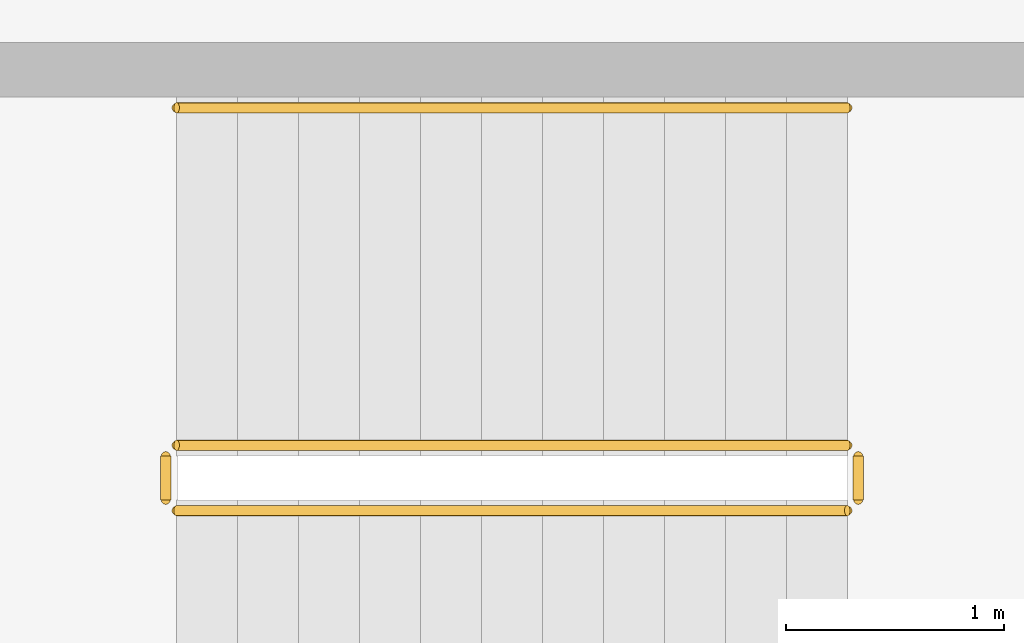
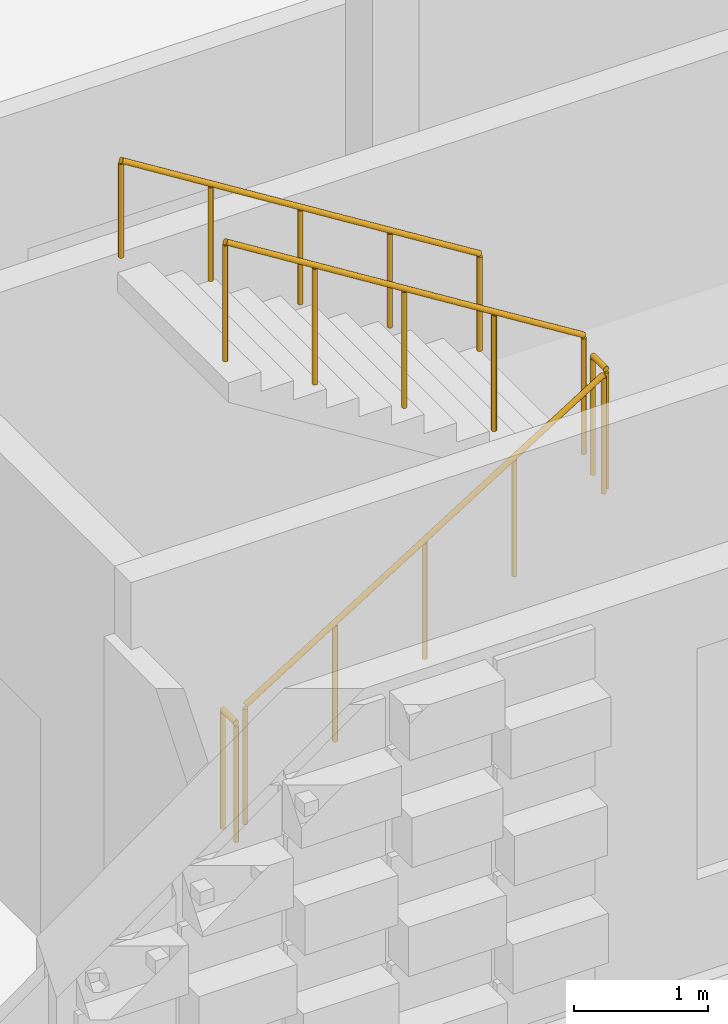
# One storey, part 77 of 81: 5 railings.
"""IFC4 building model written with IfcOpenShell, lengths in metres."""

from ifc_helpers import new_model, si_unit, direction, frame, origin, origin_2d, place, context, subcontext, project, spatial, circle, extrude, material, type_object, element, save


model = new_model("IFC4")

# Units and contexts
model_context = context("Model", 3, precision=1e-05, world=origin(), true_north=direction((0.0, 1.0)))
body_context = subcontext(model_context, "Body", "Model", "MODEL_VIEW")
ifc_project = project(units=[si_unit("LENGTHUNIT", "METRE"), si_unit("AREAUNIT", "SQUARE_METRE"), si_unit("VOLUMEUNIT", "CUBIC_METRE"), si_unit("PLANEANGLEUNIT", "RADIAN"), si_unit("MASSUNIT", "GRAM", prefix="KILO")], contexts=[model_context])

# Site, building, storey
site_placement = place(None, origin())
site = spatial("IfcSite", under=ifc_project, at=site_placement, CompositionType="ELEMENT")
building_placement = place(site_placement, origin())
building = spatial("IfcBuilding", under=site, at=building_placement, Name="Kahlenmark Community Centre", CompositionType="ELEMENT")
storey_placement = place(building_placement, frame((0.0, 0.0, 9.60009765625)))
storey = spatial("IfcBuildingStorey", under=building, at=storey_placement, Name="L02", CompositionType="ELEMENT", Elevation=9.60009765625)

# Railings
ifc_material_1 = material(Name="Brushed stainless steel 1.4301 handrail", Category="steel")
railing_type_1 = type_object("IfcRailingType", Name="RLT-HR-900", PredefinedType="HANDRAIL", material=ifc_material_1)
railing_1_placement = place(storey_placement, frame((99.47998046875, 13.64990234375, 2.27490234375)))
element("IfcRailing", 1, at=railing_1_placement, inside=storey, type_object=railing_type_1, Name="L02 ST-07 stair handrail 2", PredefinedType="HANDRAIL", context=body_context, shape_type="SweptSolid", body=[
    extrude(circle(Radius=0.02392578125, at=origin_2d()), frame((0.0, 0.0, 0.8759765625), z_axis=(-0.847998304005, 0.0, 0.529998940003), x_axis=(0.0, -1.0, 0.0)), (0.0, 0.0, 1.0), 3.632080078125),
    extrude(circle(Radius=0.02099609375, at=origin_2d()), origin(), (0.0, 0.0, 1.0), 0.851806640625),
    extrude(circle(Radius=0.02099609375, at=origin_2d()), frame((-0.77001953125, 0.0, 0.481201171875)), (0.0, 0.0, 1.0), 0.851806640625),
    extrude(circle(Radius=0.02099609375, at=origin_2d()), frame((-1.5400390625, 0.0, 0.96240234375)), (0.0, 0.0, 1.0), 0.851806640625),
    extrude(circle(Radius=0.02099609375, at=origin_2d()), frame((-2.31005859375, 0.0, 1.44384765625)), (0.0, 0.0, 1.0), 0.851806640625),
    extrude(circle(Radius=0.02099609375, at=origin_2d()), frame((-3.080078125, 0.0, 1.925048828125)), (0.0, 0.0, 1.0), 0.851806640625),
])
ifc_material_2 = material(Name="Powder-coated steel stair well guard", Category="steel")
railing_type_2 = type_object("IfcRailingType", Name="RLT-SG-1120", PredefinedType="GUARDRAIL", material=ifc_material_2)
railing_2_placement = place(storey_placement, frame((96.39990234375, 11.800048828125, 0.1748046875)))
element("IfcRailing", 2, at=railing_2_placement, inside=storey, type_object=railing_type_2, Name="L02 ST-07 stair guard 1", PredefinedType="GUARDRAIL", context=body_context, shape_type="SweptSolid", body=[
    extrude(circle(Radius=0.02392578125, at=origin_2d()), frame((0.0, 0.0, 1.076171875), z_axis=(0.847998304005, 0.0, 0.529998940003), x_axis=(0.0, 1.0, 0.0)), (0.0, 0.0, 1.0), 3.632080078125),
    extrude(circle(Radius=0.02099609375, at=origin_2d()), origin(), (0.0, 0.0, 1.0), 1.052001953125),
    extrude(circle(Radius=0.02099609375, at=origin_2d()), frame((0.77001953125, 0.0, 0.481201171875)), (0.0, 0.0, 1.0), 1.052001953125),
    extrude(circle(Radius=0.02099609375, at=origin_2d()), frame((1.5400390625, 0.0, 0.96240234375)), (0.0, 0.0, 1.0), 1.052001953125),
    extrude(circle(Radius=0.02099609375, at=origin_2d()), frame((2.31005859375, 0.0, 1.44384765625)), (0.0, 0.0, 1.0), 1.052001953125),
    extrude(circle(Radius=0.02099609375, at=origin_2d()), frame((3.080078125, 0.0, 1.925048828125)), (0.0, 0.0, 1.0), 1.052001953125),
])
railing_3_placement = place(storey_placement, frame((99.530029296875, 11.85009765625, 2.099853515625)))
element("IfcRailing", 3, at=railing_3_placement, inside=storey, type_object=railing_type_2, Name="L02 ST-07 stair guard 2", PredefinedType="GUARDRAIL", context=body_context, shape_type="SweptSolid", body=[
    extrude(circle(Radius=0.02392578125, at=origin_2d()), frame((0.0, 0.0, 1.076171875), z_axis=(0.0, 1.0, 0.0), x_axis=(-1.0, 0.0, 0.0)), (0.0, 0.0, 1.0), 0.199951171875),
    extrude(circle(Radius=0.02099609375, at=origin_2d()), origin(), (0.0, 0.0, 1.0), 1.052001953125),
    extrude(circle(Radius=0.02099609375, at=origin_2d()), frame((0.0, 0.199951171875, 0.0)), (0.0, 0.0, 1.0), 1.052001953125),
])
railing_4_placement = place(storey_placement, frame((99.47998046875, 12.10009765625, 2.27490234375)))
element("IfcRailing", 4, at=railing_4_placement, inside=storey, type_object=railing_type_2, Name="L02 ST-07 stair guard 3", PredefinedType="GUARDRAIL", context=body_context, shape_type="SweptSolid", body=[
    extrude(circle(Radius=0.02392578125, at=origin_2d()), frame((0.0, 0.0, 1.076171875), z_axis=(-0.847998304005, 0.0, 0.529998940003), x_axis=(0.0, -1.0, 0.0)), (0.0, 0.0, 1.0), 3.632080078125),
    extrude(circle(Radius=0.02099609375, at=origin_2d()), origin(), (0.0, 0.0, 1.0), 1.052001953125),
    extrude(circle(Radius=0.02099609375, at=origin_2d()), frame((-0.77001953125, 0.0, 0.481201171875)), (0.0, 0.0, 1.0), 1.052001953125),
    extrude(circle(Radius=0.02099609375, at=origin_2d()), frame((-1.5400390625, 0.0, 0.96240234375)), (0.0, 0.0, 1.0), 1.052001953125),
    extrude(circle(Radius=0.02099609375, at=origin_2d()), frame((-2.31005859375, 0.0, 1.44384765625)), (0.0, 0.0, 1.0), 1.052001953125),
    extrude(circle(Radius=0.02099609375, at=origin_2d()), frame((-3.080078125, 0.0, 1.925048828125)), (0.0, 0.0, 1.0), 1.052001953125),
])
railing_5_placement = place(storey_placement, frame((96.35009765625, 11.85009765625, 0.0)))
element("IfcRailing", 5, at=railing_5_placement, inside=storey, type_object=railing_type_2, Name="L02 ST-07 stair guard 4", PredefinedType="GUARDRAIL", context=body_context, shape_type="SweptSolid", body=[
    extrude(circle(Radius=0.02392578125, at=origin_2d()), frame((0.0, 0.0, 1.076171875), z_axis=(0.0, 1.0, 0.0), x_axis=(-1.0, 0.0, 0.0)), (0.0, 0.0, 1.0), 0.199951171875),
    extrude(circle(Radius=0.02099609375, at=origin_2d()), origin(), (0.0, 0.0, 1.0), 1.052001953125),
    extrude(circle(Radius=0.02099609375, at=origin_2d()), frame((0.0, 0.199951171875, 0.0)), (0.0, 0.0, 1.0), 1.052001953125),
])

save(model, "model.ifc")
